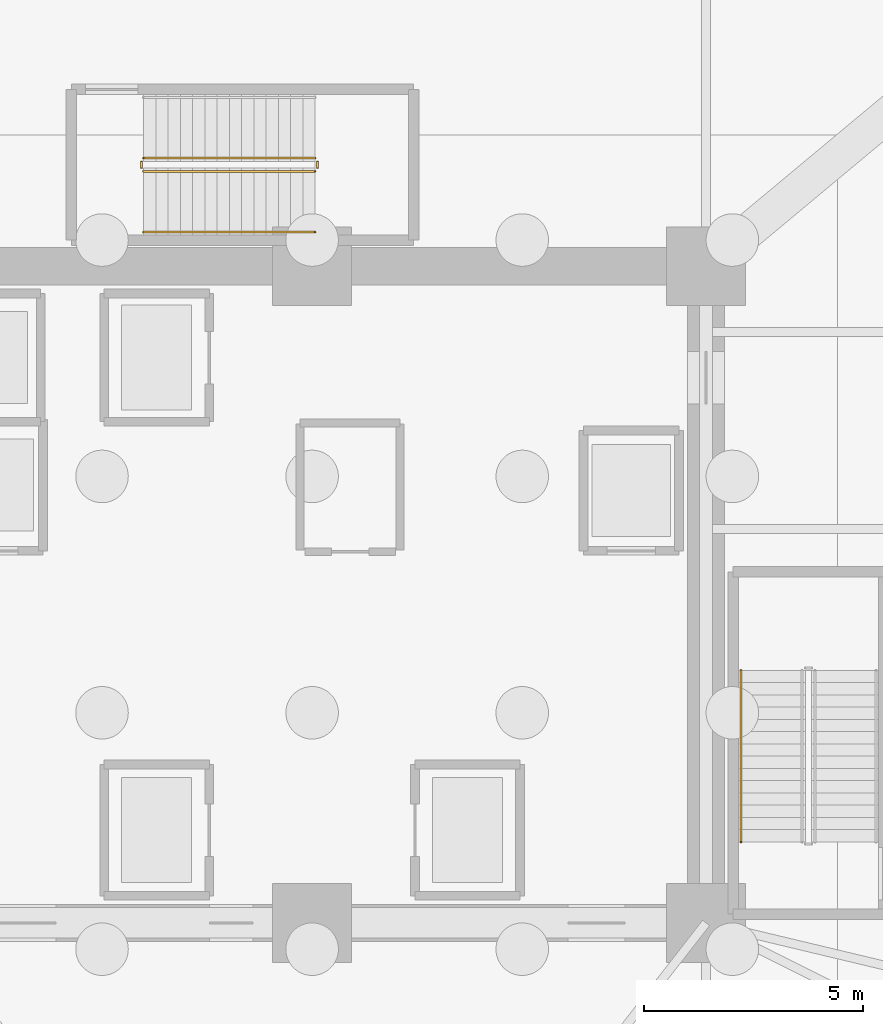
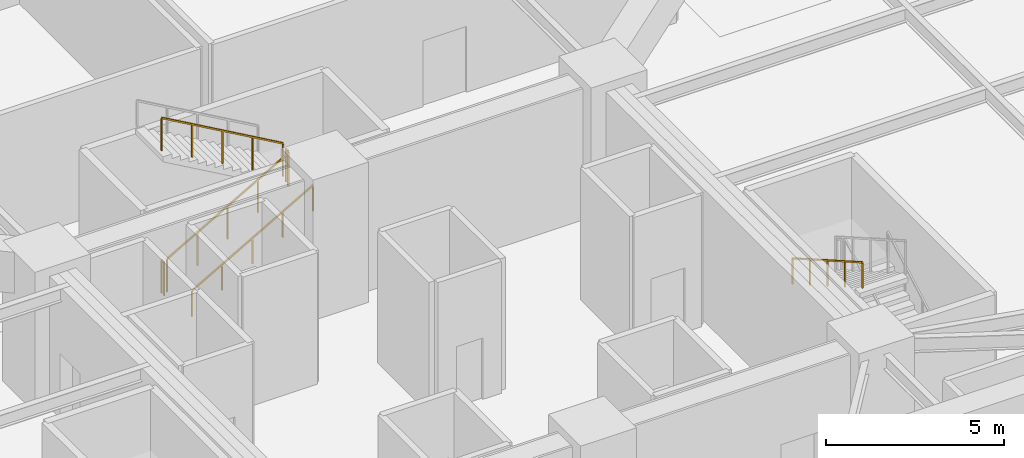
# One storey, part 16 of 19: 6 railings.
"""IFC4 building model written with IfcOpenShell, lengths in metres."""

import ifcopenshell
import ifcopenshell.guid

model = None  # the IFC model being written
_history = None  # IfcOwnerHistory: only IFC2X3 demands one
_inside = {}  # id of a spatial element -> (the spatial element, [elements in it])
_under = {}  # id of a project, library or spatial element -> (it, [spatial elements below it])
_declared = {}  # id of a project -> (the project, [libraries it declares])
_typed = {}  # id of a type object -> (the type object, [elements of that type])
_made_of = {}  # id of a material, layer set ... -> (it, [elements and type objects made of it])


def new_model(schema):
    """Start an empty IFC model of exactly this schema.

    Asked for "IFC4X3", IfcOpenShell would pick the latest addendum, in which some entities
    have other attributes; the version numbers below select the first issue.
    IFC2X3 requires an IfcOwnerHistory on every rooted entity: one is made here for all.
    """
    global model, _history
    if schema == "IFC4X3":
        model = ifcopenshell.file(schema_version=(4, 3, 0, 0))
    else:
        model = ifcopenshell.file(schema=schema)
    _inside.clear()
    _under.clear()
    _declared.clear()
    _typed.clear()
    _made_of.clear()
    _history = None
    if model.schema == "IFC2X3":
        org = make("IfcOrganization", Name="unknown")
        user = make(
            "IfcPersonAndOrganization",
            ThePerson=make("IfcPerson", FamilyName="unknown"),
            TheOrganization=org,
        )
        app = make(
            "IfcApplication",
            ApplicationDeveloper=org,
            Version="unknown",
            ApplicationFullName="unknown",
            ApplicationIdentifier="unknown",
        )
        _history = make(
            "IfcOwnerHistory",
            OwningUser=user,
            OwningApplication=app,
            ChangeAction="ADDED",
            CreationDate=0,
        )
    return model


def make(cls, **values):
    """One entity of the class cls with the attributes given. An attribute that is None is left unset."""
    return model.create_entity(
        cls, **{name: value for name, value in values.items() if value is not None}
    )


def rooted(cls, **values):
    """An entity with a GlobalId (a new one), such as an element, a storey or a relation."""
    return make(cls, GlobalId=ifcopenshell.guid.new(), OwnerHistory=_history, **values)


def si_unit(unit_type, name, prefix=None):
    """IfcSIUnit, for example si_unit("LENGTHUNIT", "METRE", prefix="MILLI")."""
    return make("IfcSIUnit", UnitType=unit_type, Prefix=prefix, Name=name)


def assignment(units):
    """IfcUnitAssignment: the units of a project."""
    return None if units is None else make("IfcUnitAssignment", Units=units)


def point(xyz):
    """IfcCartesianPoint."""
    return None if xyz is None else make("IfcCartesianPoint", Coordinates=xyz)


def direction(xyz):
    """IfcDirection."""
    return None if xyz is None else make("IfcDirection", DirectionRatios=xyz)


def frame(location, z_axis=None, x_axis=None):
    """IfcAxis2Placement3D, a coordinate frame: its origin and axes. An axis left out is left unset."""
    return make(
        "IfcAxis2Placement3D",
        Location=point(location),
        Axis=direction(z_axis),
        RefDirection=direction(x_axis),
    )


def frame_2d(location, x_axis=None):
    """IfcAxis2Placement2D, a coordinate frame in the plane: its origin and x axis."""
    return make(
        "IfcAxis2Placement2D", Location=point(location), RefDirection=direction(x_axis)
    )


def origin():
    """The frame at (0, 0, 0) with its axes left unset."""
    return frame((0.0, 0.0, 0.0))


def origin_2d():
    """The frame at (0, 0) in the plane with its x axis left unset."""
    return frame_2d((0.0, 0.0))


def place(relative_to, where):
    """IfcLocalPlacement: puts the frame where relative to a parent placement (None: the world)."""
    return make(
        "IfcLocalPlacement", PlacementRelTo=relative_to, RelativePlacement=where
    )


def context(
    kind, dimensions, precision=None, world=None, true_north=None, identifier=None
):
    """IfcGeometricRepresentationContext, for example the 3D "Model" context."""
    return make(
        "IfcGeometricRepresentationContext",
        ContextIdentifier=identifier,
        ContextType=kind,
        CoordinateSpaceDimension=dimensions,
        Precision=precision,
        WorldCoordinateSystem=world,
        TrueNorth=true_north,
    )


def subcontext(parent, identifier, kind, view, scale=None):
    """IfcGeometricRepresentationSubContext, for example "Body" below "Model"."""
    return make(
        "IfcGeometricRepresentationSubContext",
        ContextIdentifier=identifier,
        ContextType=kind,
        ParentContext=parent,
        TargetScale=scale,
        TargetView=view,
    )


def project(units=None, contexts=None):
    """IfcProject with its units and contexts."""
    return rooted(
        "IfcProject",
        Name="project",
        RepresentationContexts=contexts,
        UnitsInContext=assignment(units),
    )


def spatial(cls, under=None, at=None, **own):
    """A site, building, storey or space (cls), placed at a placement, below another one or the project."""
    s = rooted(cls, ObjectPlacement=at, **own)
    if under is not None:
        _under.setdefault(under.id(), (under, []))[1].append(s)
    return s


def profile(cls, at=None, kind="AREA", **sizes):
    """A parametric profile (cls). Its sizes go by their IFC names, for example OverallWidth=200.0."""
    return make(cls, ProfileType=kind, Position=at, **sizes)


def rectangle(**sizes):
    """IfcRectangleProfileDef."""
    return profile("IfcRectangleProfileDef", **sizes)


def extrude(swept, where, along, depth):
    """IfcExtrudedAreaSolid: the profile swept, set in the frame where, extruded along a direction by depth."""
    return make(
        "IfcExtrudedAreaSolid",
        SweptArea=swept,
        Position=where,
        ExtrudedDirection=direction(along),
        Depth=depth,
    )


def shape(context_of_items, identifier, shape_type, items):
    """IfcShapeRepresentation: the items that make up one representation, for example the "Body"."""
    return make(
        "IfcShapeRepresentation",
        ContextOfItems=context_of_items,
        RepresentationIdentifier=identifier,
        RepresentationType=shape_type,
        Items=items,
    )


def material(Name=None, Category=None):
    """IfcMaterial."""
    return make("IfcMaterial", Name=Name, Category=Category)


def made_of(thing, what):
    """Note that an element or type object is made of a material, layer set ...; save() writes the relation."""
    if what is not None:
        _made_of.setdefault(what.id(), (what, []))[1].append(thing)
    return thing


def type_object(cls, material=None, **own):
    """A type object (cls), such as IfcWallType, which elements share."""
    return made_of(rooted(cls, **own), material)


def element(
    cls,
    number,
    at=None,
    inside=None,
    cuts=None,
    type_object=None,
    material=None,
    context=None,
    identifier="Body",
    shape_type=None,
    held_by="IfcProductDefinitionShape",
    body=None,
    shapes=None,
    **own,
):
    """One element of the class cls, such as IfcWall. Its Tag is "e" and its number.

    at: its placement. inside: the storey or other place that contains it. cuts: it is an
    opening in that element (IfcRelVoidsElement). A single representation is given by context,
    identifier, shape_type and body (its items); several are given by shapes. held_by: the class
    of the entity that holds the representations. save() writes the other relations.
    """
    e = rooted(cls, Tag="e%d" % number, ObjectPlacement=at, **own)
    if body is not None:
        shapes = [shape(context, identifier, shape_type, body)]
    if shapes is not None:
        e.Representation = make(held_by, Representations=shapes)
    if inside is not None:
        _inside.setdefault(inside.id(), (inside, []))[1].append(e)
    if cuts is not None:
        rooted(
            "IfcRelVoidsElement", RelatingBuildingElement=cuts, RelatedOpeningElement=e
        )
    if type_object is not None:
        _typed.setdefault(type_object.id(), (type_object, []))[1].append(e)
    return made_of(e, material)


def aggregate(whole, parts):
    """IfcRelAggregates: a whole, such as a stair, and the parts it consists of."""
    return rooted("IfcRelAggregates", RelatingObject=whole, RelatedObjects=parts)


def save(model, path):
    """Write the relations noted so far, then the file.

    IfcRelAggregates (storeys below a building ...), IfcRelContainedInSpatialStructure (elements
    in a storey), IfcRelDefinesByType, IfcRelAssociatesMaterial and IfcRelDeclares: one each for
    every whole, place, type object, material and project.
    """
    for whole, parts in _under.values():
        aggregate(whole, parts)
    for where, things in _inside.values():
        rooted(
            "IfcRelContainedInSpatialStructure",
            RelatedElements=things,
            RelatingStructure=where,
        )
    for kind, things in _typed.values():
        rooted("IfcRelDefinesByType", RelatedObjects=things, RelatingType=kind)
    for what, things in _made_of.values():
        rooted("IfcRelAssociatesMaterial", RelatedObjects=things, RelatingMaterial=what)
    for by, libraries in _declared.values():
        rooted("IfcRelDeclares", RelatingContext=by, RelatedDefinitions=libraries)
    model.write(path)


model = new_model("IFC4")

# Units and contexts
model_context = context("Model", 3, precision=1e-05, world=origin(), true_north=direction((0.0, 1.0)))
body_context = subcontext(model_context, "Body", "Model", "MODEL_VIEW")
ifc_project = project(units=[si_unit("LENGTHUNIT", "METRE"), si_unit("AREAUNIT", "SQUARE_METRE"), si_unit("VOLUMEUNIT", "CUBIC_METRE"), si_unit("PLANEANGLEUNIT", "RADIAN"), si_unit("MASSUNIT", "GRAM", prefix="KILO")], contexts=[model_context])

# Site, building, storey
site_placement = place(None, origin())
site = spatial("IfcSite", under=ifc_project, at=site_placement, CompositionType="ELEMENT")
building_placement = place(site_placement, origin())
building = spatial("IfcBuilding", under=site, at=building_placement, Name="Liaohun Quay Tower", CompositionType="ELEMENT")
storey_placement = place(building_placement, frame((0.0, 0.0, -9.60009765625)))
storey = spatial("IfcBuildingStorey", under=building, at=storey_placement, Name="B2", CompositionType="ELEMENT", Elevation=-9.60009765625)

# Railings
ifc_material_1 = material(Name="Painted tubular steel", Category="steel")
railing_type_1 = type_object("IfcRailingType", Name="RLG-GUARD-STR", PredefinedType="GUARDRAIL", material=ifc_material_1)
railing_1_placement = place(storey_placement, frame((56.14990234375, 63.669921875, 0.16015625)))
element("IfcRailing", 1, at=railing_1_placement, inside=storey, type_object=railing_type_1, Name="B2 ST-3 stair guard 1", PredefinedType="GUARDRAIL", context=body_context, shape_type="SweptSolid", body=[
    extrude(rectangle(XDim=0.048095703125, YDim=0.048095703125, at=origin_2d()), frame((0.0, 0.0, 1.1259765625), z_axis=(0.86825312469, 0.0, 0.496121468458), x_axis=(0.0, 1.0, 0.0)), (0.0, 0.0, 1.0), 4.514892578125),
    extrude(rectangle(XDim=0.0419921875, YDim=0.0419921875, at=origin_2d()), origin(), (0.0, 0.0, 1.0), 1.101806640625),
    extrude(rectangle(XDim=0.0419921875, YDim=0.0419921875, at=origin_2d()), frame((0.97998046875, 0.0, 0.56005859375)), (0.0, 0.0, 1.0), 1.101806640625),
    extrude(rectangle(XDim=0.0419921875, YDim=0.0419921875, at=origin_2d()), frame((1.9599609375, 0.0, 1.1201171875)), (0.0, 0.0, 1.0), 1.101806640625),
    extrude(rectangle(XDim=0.0419921875, YDim=0.0419921875, at=origin_2d()), frame((2.940185546875, 0.0, 1.679931640625)), (0.0, 0.0, 1.0), 1.101806640625),
    extrude(rectangle(XDim=0.0419921875, YDim=0.0419921875, at=origin_2d()), frame((3.920166015625, 0.0, 2.239990234375)), (0.0, 0.0, 1.0), 1.101806640625),
])
railing_2_placement = place(storey_placement, frame((60.1201171875, 63.75, 2.400146484375)))
element("IfcRailing", 2, at=railing_2_placement, inside=storey, type_object=railing_type_1, Name="B2 ST-3 stair guard 2", PredefinedType="GUARDRAIL", context=body_context, shape_type="SweptSolid", body=[
    extrude(rectangle(XDim=0.048095703125, YDim=0.048095703125, at=origin_2d()), frame((0.0, 0.0, 1.1259765625), z_axis=(0.0, 1.0, 0.0), x_axis=(-1.0, 0.0, 0.0)), (0.0, 0.0, 1.0), 0.139892578125),
    extrude(rectangle(XDim=0.0419921875, YDim=0.0419921875, at=origin_2d()), origin(), (0.0, 0.0, 1.0), 1.101806640625),
    extrude(rectangle(XDim=0.0419921875, YDim=0.0419921875, at=origin_2d()), frame((0.0, 0.139892578125, 0.0)), (0.0, 0.0, 1.0), 1.101806640625),
])
railing_3_placement = place(storey_placement, frame((60.070068359375, 63.969970703125, 2.56005859375)))
element("IfcRailing", 3, at=railing_3_placement, inside=storey, type_object=railing_type_1, Name="B2 ST-3 stair guard 3", PredefinedType="GUARDRAIL", context=body_context, shape_type="SweptSolid", body=[
    extrude(rectangle(XDim=0.048095703125, YDim=0.048095703125, at=origin_2d()), frame((0.0, 0.0, 1.1259765625), z_axis=(-0.86825312469, 0.0, 0.496121468458), x_axis=(0.0, -1.0, 0.0)), (0.0, 0.0, 1.0), 4.514892578125),
    extrude(rectangle(XDim=0.0419921875, YDim=0.0419921875, at=origin_2d()), origin(), (0.0, 0.0, 1.0), 1.101806640625),
    extrude(rectangle(XDim=0.0419921875, YDim=0.0419921875, at=origin_2d()), frame((-0.97998046875, 0.0, 0.56005859375)), (0.0, 0.0, 1.0), 1.101806640625),
    extrude(rectangle(XDim=0.0419921875, YDim=0.0419921875, at=origin_2d()), frame((-1.9599609375, 0.0, 1.1201171875)), (0.0, 0.0, 1.0), 1.101806640625),
    extrude(rectangle(XDim=0.0419921875, YDim=0.0419921875, at=origin_2d()), frame((-2.940185546875, 0.0, 1.679931640625)), (0.0, 0.0, 1.0), 1.101806640625),
    extrude(rectangle(XDim=0.0419921875, YDim=0.0419921875, at=origin_2d()), frame((-3.920166015625, 0.0, 2.239990234375)), (0.0, 0.0, 1.0), 1.101806640625),
])
railing_4_placement = place(storey_placement, frame((56.10009765625, 63.75, 0.0)))
element("IfcRailing", 4, at=railing_4_placement, inside=storey, type_object=railing_type_1, Name="B2 ST-3 stair guard 4", PredefinedType="GUARDRAIL", context=body_context, shape_type="SweptSolid", body=[
    extrude(rectangle(XDim=0.048095703125, YDim=0.048095703125, at=origin_2d()), frame((0.0, 0.0, 1.1259765625), z_axis=(0.0, 1.0, 0.0), x_axis=(-1.0, 0.0, 0.0)), (0.0, 0.0, 1.0), 0.139892578125),
    extrude(rectangle(XDim=0.0419921875, YDim=0.0419921875, at=origin_2d()), origin(), (0.0, 0.0, 1.0), 1.101806640625),
    extrude(rectangle(XDim=0.0419921875, YDim=0.0419921875, at=origin_2d()), frame((0.0, 0.139892578125, 0.0)), (0.0, 0.0, 1.0), 1.101806640625),
])
ifc_material_2 = material(Name="Brushed stainless steel", Category="steel")
railing_type_2 = type_object("IfcRailingType", Name="RLG-HND-STR", PredefinedType="HANDRAIL", material=ifc_material_2)
railing_5_placement = place(storey_placement, frame((69.800048828125, 52.27001953125, 2.56005859375)))
element("IfcRailing", 5, at=railing_5_placement, inside=storey, type_object=railing_type_2, Name="B2 ST-2 stair handrail 2", PredefinedType="HANDRAIL", context=body_context, shape_type="SweptSolid", body=[
    extrude(rectangle(XDim=0.048095703125, YDim=0.048095703125, at=origin_2d()), frame((0.0, 0.0, 0.8759765625), z_axis=(0.0, -0.868239814368, 0.496144761885), x_axis=(1.0, 0.0, 0.0)), (0.0, 0.0, 1.0), 4.514892578125),
    extrude(rectangle(XDim=0.0419921875, YDim=0.0419921875, at=origin_2d()), origin(), (0.0, 0.0, 1.0), 0.851806640625),
    extrude(rectangle(XDim=0.0419921875, YDim=0.0419921875, at=origin_2d()), frame((0.0, -0.97998046875, 0.56005859375)), (0.0, 0.0, 1.0), 0.851806640625),
    extrude(rectangle(XDim=0.0419921875, YDim=0.0419921875, at=origin_2d()), frame((0.0, -1.9599609375, 1.1201171875)), (0.0, 0.0, 1.0), 0.851806640625),
    extrude(rectangle(XDim=0.0419921875, YDim=0.0419921875, at=origin_2d()), frame((0.0, -2.93994140625, 1.679931640625)), (0.0, 0.0, 1.0), 0.851806640625),
    extrude(rectangle(XDim=0.0419921875, YDim=0.0419921875, at=origin_2d()), frame((0.0, -3.919921875, 2.239990234375)), (0.0, 0.0, 1.0), 0.851806640625),
])
railing_6_placement = place(storey_placement, frame((56.14990234375, 62.280029296875, 0.16015625)))
element("IfcRailing", 6, at=railing_6_placement, inside=storey, type_object=railing_type_2, Name="B2 ST-3 stair handrail 1", PredefinedType="HANDRAIL", context=body_context, shape_type="SweptSolid", body=[
    extrude(rectangle(XDim=0.048095703125, YDim=0.048095703125, at=origin_2d()), frame((0.0, 0.0, 0.8759765625), z_axis=(0.86825312469, 0.0, 0.496121468458), x_axis=(0.0, 1.0, 0.0)), (0.0, 0.0, 1.0), 4.514892578125),
    extrude(rectangle(XDim=0.0419921875, YDim=0.0419921875, at=origin_2d()), origin(), (0.0, 0.0, 1.0), 0.851806640625),
    extrude(rectangle(XDim=0.0419921875, YDim=0.0419921875, at=origin_2d()), frame((0.97998046875, 0.0, 0.56005859375)), (0.0, 0.0, 1.0), 0.851806640625),
    extrude(rectangle(XDim=0.0419921875, YDim=0.0419921875, at=origin_2d()), frame((1.9599609375, 0.0, 1.1201171875)), (0.0, 0.0, 1.0), 0.851806640625),
    extrude(rectangle(XDim=0.0419921875, YDim=0.0419921875, at=origin_2d()), frame((2.940185546875, 0.0, 1.679931640625)), (0.0, 0.0, 1.0), 0.851806640625),
    extrude(rectangle(XDim=0.0419921875, YDim=0.0419921875, at=origin_2d()), frame((3.920166015625, 0.0, 2.239990234375)), (0.0, 0.0, 1.0), 0.851806640625),
])

save(model, "model.ifc")
